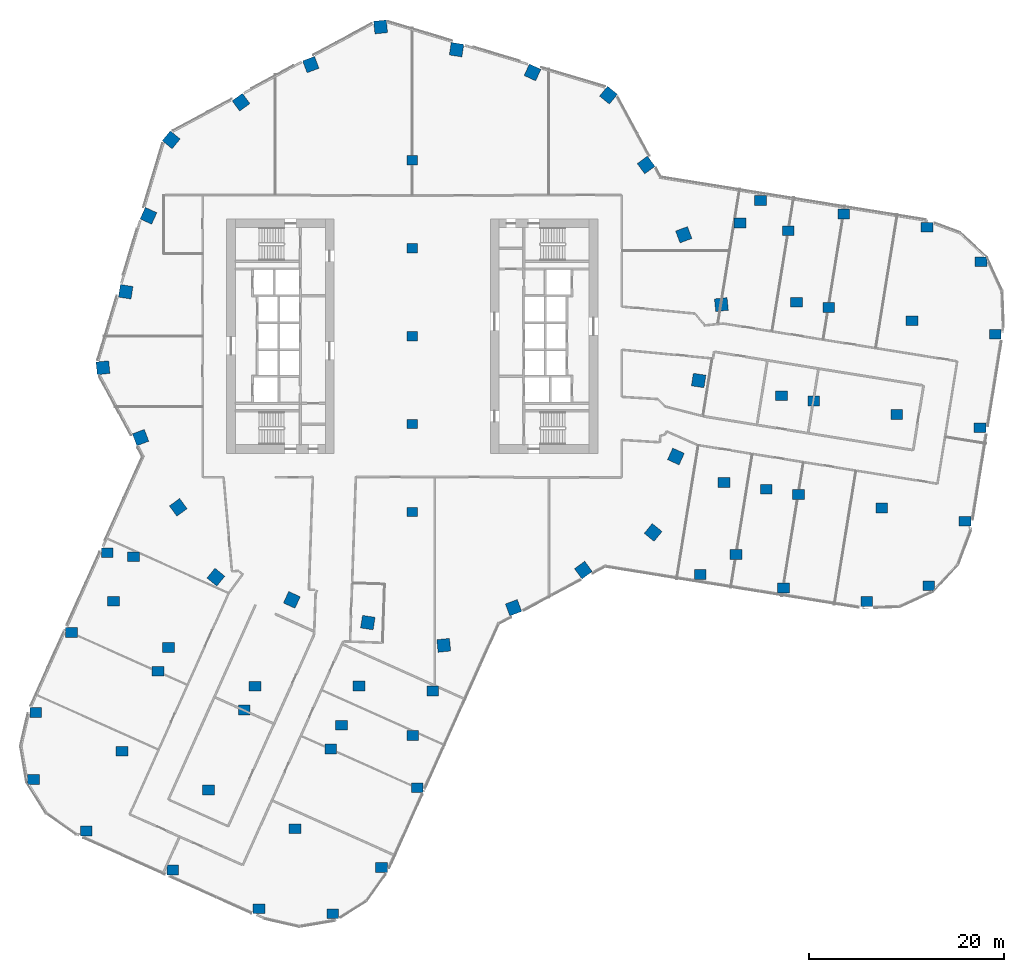
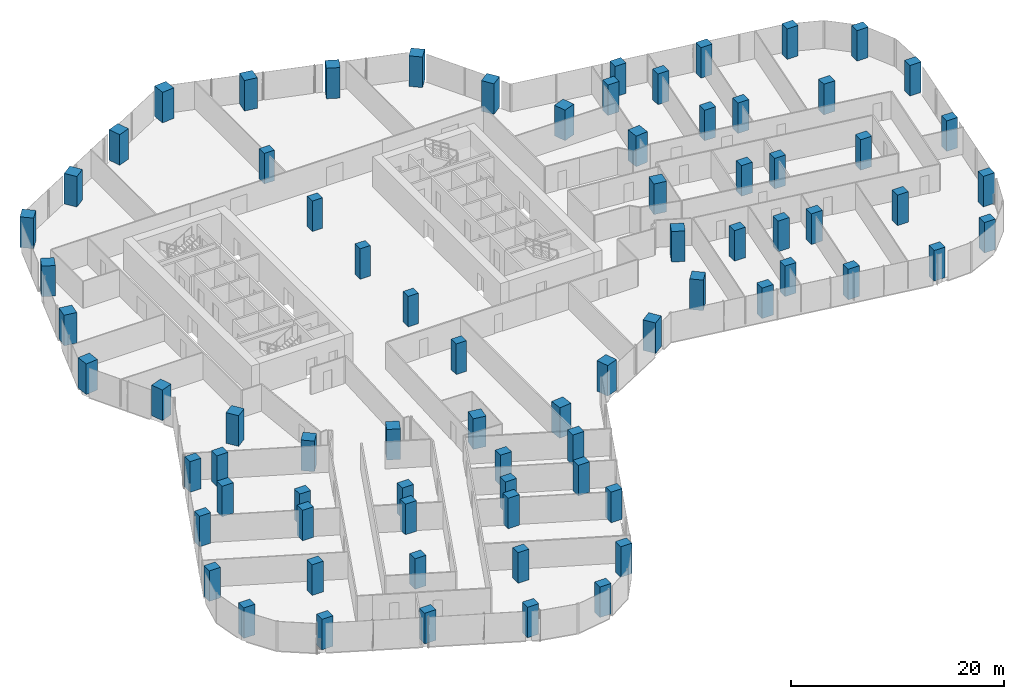
# One storey, part 1 of 34: 77 columns.
"""IFC4 building model written with IfcOpenShell, lengths in metres."""

import ifcopenshell
import ifcopenshell.guid

model = None  # the IFC model being written
_history = None  # IfcOwnerHistory: only IFC2X3 demands one
_inside = {}  # id of a spatial element -> (the spatial element, [elements in it])
_under = {}  # id of a project, library or spatial element -> (it, [spatial elements below it])
_declared = {}  # id of a project -> (the project, [libraries it declares])
_typed = {}  # id of a type object -> (the type object, [elements of that type])
_made_of = {}  # id of a material, layer set ... -> (it, [elements and type objects made of it])


def new_model(schema):
    """Start an empty IFC model of exactly this schema.

    Asked for "IFC4X3", IfcOpenShell would pick the latest addendum, in which some entities
    have other attributes; the version numbers below select the first issue.
    IFC2X3 requires an IfcOwnerHistory on every rooted entity: one is made here for all.
    """
    global model, _history
    if schema == "IFC4X3":
        model = ifcopenshell.file(schema_version=(4, 3, 0, 0))
    else:
        model = ifcopenshell.file(schema=schema)
    _inside.clear()
    _under.clear()
    _declared.clear()
    _typed.clear()
    _made_of.clear()
    _history = None
    if model.schema == "IFC2X3":
        org = make("IfcOrganization", Name="unknown")
        user = make(
            "IfcPersonAndOrganization",
            ThePerson=make("IfcPerson", FamilyName="unknown"),
            TheOrganization=org,
        )
        app = make(
            "IfcApplication",
            ApplicationDeveloper=org,
            Version="unknown",
            ApplicationFullName="unknown",
            ApplicationIdentifier="unknown",
        )
        _history = make(
            "IfcOwnerHistory",
            OwningUser=user,
            OwningApplication=app,
            ChangeAction="ADDED",
            CreationDate=0,
        )
    return model


def make(cls, **values):
    """One entity of the class cls with the attributes given. An attribute that is None is left unset."""
    return model.create_entity(
        cls, **{name: value for name, value in values.items() if value is not None}
    )


def rooted(cls, **values):
    """An entity with a GlobalId (a new one), such as an element, a storey or a relation."""
    return make(cls, GlobalId=ifcopenshell.guid.new(), OwnerHistory=_history, **values)


def si_unit(unit_type, name, prefix=None):
    """IfcSIUnit, for example si_unit("LENGTHUNIT", "METRE", prefix="MILLI")."""
    return make("IfcSIUnit", UnitType=unit_type, Prefix=prefix, Name=name)


def assignment(units):
    """IfcUnitAssignment: the units of a project."""
    return None if units is None else make("IfcUnitAssignment", Units=units)


def point(xyz):
    """IfcCartesianPoint."""
    return None if xyz is None else make("IfcCartesianPoint", Coordinates=xyz)


def direction(xyz):
    """IfcDirection."""
    return None if xyz is None else make("IfcDirection", DirectionRatios=xyz)


def frame(location, z_axis=None, x_axis=None):
    """IfcAxis2Placement3D, a coordinate frame: its origin and axes. An axis left out is left unset."""
    return make(
        "IfcAxis2Placement3D",
        Location=point(location),
        Axis=direction(z_axis),
        RefDirection=direction(x_axis),
    )


def frame_2d(location, x_axis=None):
    """IfcAxis2Placement2D, a coordinate frame in the plane: its origin and x axis."""
    return make(
        "IfcAxis2Placement2D", Location=point(location), RefDirection=direction(x_axis)
    )


def origin():
    """The frame at (0, 0, 0) with its axes left unset."""
    return frame((0.0, 0.0, 0.0))


def origin_2d():
    """The frame at (0, 0) in the plane with its x axis left unset."""
    return frame_2d((0.0, 0.0))


def place(relative_to, where):
    """IfcLocalPlacement: puts the frame where relative to a parent placement (None: the world)."""
    return make(
        "IfcLocalPlacement", PlacementRelTo=relative_to, RelativePlacement=where
    )


def context(
    kind, dimensions, precision=None, world=None, true_north=None, identifier=None
):
    """IfcGeometricRepresentationContext, for example the 3D "Model" context."""
    return make(
        "IfcGeometricRepresentationContext",
        ContextIdentifier=identifier,
        ContextType=kind,
        CoordinateSpaceDimension=dimensions,
        Precision=precision,
        WorldCoordinateSystem=world,
        TrueNorth=true_north,
    )


def subcontext(parent, identifier, kind, view, scale=None):
    """IfcGeometricRepresentationSubContext, for example "Body" below "Model"."""
    return make(
        "IfcGeometricRepresentationSubContext",
        ContextIdentifier=identifier,
        ContextType=kind,
        ParentContext=parent,
        TargetScale=scale,
        TargetView=view,
    )


def project(units=None, contexts=None):
    """IfcProject with its units and contexts."""
    return rooted(
        "IfcProject",
        Name="project",
        RepresentationContexts=contexts,
        UnitsInContext=assignment(units),
    )


def spatial(cls, under=None, at=None, **own):
    """A site, building, storey or space (cls), placed at a placement, below another one or the project."""
    s = rooted(cls, ObjectPlacement=at, **own)
    if under is not None:
        _under.setdefault(under.id(), (under, []))[1].append(s)
    return s


def profile(cls, at=None, kind="AREA", **sizes):
    """A parametric profile (cls). Its sizes go by their IFC names, for example OverallWidth=200.0."""
    return make(cls, ProfileType=kind, Position=at, **sizes)


def rectangle(**sizes):
    """IfcRectangleProfileDef."""
    return profile("IfcRectangleProfileDef", **sizes)


def extrude(swept, where, along, depth):
    """IfcExtrudedAreaSolid: the profile swept, set in the frame where, extruded along a direction by depth."""
    return make(
        "IfcExtrudedAreaSolid",
        SweptArea=swept,
        Position=where,
        ExtrudedDirection=direction(along),
        Depth=depth,
    )


def shape(context_of_items, identifier, shape_type, items):
    """IfcShapeRepresentation: the items that make up one representation, for example the "Body"."""
    return make(
        "IfcShapeRepresentation",
        ContextOfItems=context_of_items,
        RepresentationIdentifier=identifier,
        RepresentationType=shape_type,
        Items=items,
    )


def material(Name=None, Category=None):
    """IfcMaterial."""
    return make("IfcMaterial", Name=Name, Category=Category)


def material_profile(
    of_material, cross_section, Name=None, Category=None, Priority=None
):
    """IfcMaterialProfile: a cross section and its material."""
    return make(
        "IfcMaterialProfile",
        Name=Name,
        Material=of_material,
        Profile=cross_section,
        Priority=Priority,
        Category=Category,
    )


def profile_set(profiles, Name=None, composite=None):
    """IfcMaterialProfileSet."""
    return make(
        "IfcMaterialProfileSet",
        Name=Name,
        MaterialProfiles=profiles,
        CompositeProfile=composite,
    )


def made_of(thing, what):
    """Note that an element or type object is made of a material, layer set ...; save() writes the relation."""
    if what is not None:
        _made_of.setdefault(what.id(), (what, []))[1].append(thing)
    return thing


def type_object(cls, material=None, **own):
    """A type object (cls), such as IfcWallType, which elements share."""
    return made_of(rooted(cls, **own), material)


def element(
    cls,
    number,
    at=None,
    inside=None,
    cuts=None,
    type_object=None,
    material=None,
    context=None,
    identifier="Body",
    shape_type=None,
    held_by="IfcProductDefinitionShape",
    body=None,
    shapes=None,
    **own,
):
    """One element of the class cls, such as IfcWall. Its Tag is "e" and its number.

    at: its placement. inside: the storey or other place that contains it. cuts: it is an
    opening in that element (IfcRelVoidsElement). A single representation is given by context,
    identifier, shape_type and body (its items); several are given by shapes. held_by: the class
    of the entity that holds the representations. save() writes the other relations.
    """
    e = rooted(cls, Tag="e%d" % number, ObjectPlacement=at, **own)
    if body is not None:
        shapes = [shape(context, identifier, shape_type, body)]
    if shapes is not None:
        e.Representation = make(held_by, Representations=shapes)
    if inside is not None:
        _inside.setdefault(inside.id(), (inside, []))[1].append(e)
    if cuts is not None:
        rooted(
            "IfcRelVoidsElement", RelatingBuildingElement=cuts, RelatedOpeningElement=e
        )
    if type_object is not None:
        _typed.setdefault(type_object.id(), (type_object, []))[1].append(e)
    return made_of(e, material)


def aggregate(whole, parts):
    """IfcRelAggregates: a whole, such as a stair, and the parts it consists of."""
    return rooted("IfcRelAggregates", RelatingObject=whole, RelatedObjects=parts)


def save(model, path):
    """Write the relations noted so far, then the file.

    IfcRelAggregates (storeys below a building ...), IfcRelContainedInSpatialStructure (elements
    in a storey), IfcRelDefinesByType, IfcRelAssociatesMaterial and IfcRelDeclares: one each for
    every whole, place, type object, material and project.
    """
    for whole, parts in _under.values():
        aggregate(whole, parts)
    for where, things in _inside.values():
        rooted(
            "IfcRelContainedInSpatialStructure",
            RelatedElements=things,
            RelatingStructure=where,
        )
    for kind, things in _typed.values():
        rooted("IfcRelDefinesByType", RelatedObjects=things, RelatingType=kind)
    for what, things in _made_of.values():
        rooted("IfcRelAssociatesMaterial", RelatedObjects=things, RelatingMaterial=what)
    for by, libraries in _declared.values():
        rooted("IfcRelDeclares", RelatingContext=by, RelatedDefinitions=libraries)
    model.write(path)


model = new_model("IFC4")

# Units and contexts
model_context = context("Model", 3, precision=1e-05, world=origin(), true_north=direction((0.0, 1.0)))
body_context = subcontext(model_context, "Body", "Model", "MODEL_VIEW")
ifc_project = project(units=[si_unit("LENGTHUNIT", "METRE"), si_unit("AREAUNIT", "SQUARE_METRE"), si_unit("VOLUMEUNIT", "CUBIC_METRE"), si_unit("PLANEANGLEUNIT", "RADIAN"), si_unit("MASSUNIT", "GRAM", prefix="KILO")], contexts=[model_context])

# Site, building, storey
site_placement = place(None, origin())
site = spatial("IfcSite", under=ifc_project, at=site_placement, CompositionType="ELEMENT")
building_placement = place(site_placement, origin())
building = spatial("IfcBuilding", under=site, at=building_placement, Name="Orlundy Tower", CompositionType="ELEMENT")
storey_placement = place(building_placement, frame((0.0, 0.0, 130.699951171875)))
storey = spatial("IfcBuildingStorey", under=building, at=storey_placement, Name="L33", CompositionType="ELEMENT", Elevation=130.699951171875)

# Columns
ifc_material_1 = material(Name="Concrete C80/95", Category="concrete")
ifc_material_profile_1 = material_profile(ifc_material_1, rectangle(XDim=1.10009765625, YDim=0.949951171875, at=origin_2d()), Name="RC1100X950")
ifc_profile_set_1 = profile_set([ifc_material_profile_1], Name="Concrete C80/95")
column_type_1 = type_object("IfcColumnType", Name="RC COLUMN RC1100X950 C80/95", PredefinedType="COLUMN", material=ifc_profile_set_1)
for number, where, z_axis, x_axis, name in (
    (1, (0.0, -18.0, 0.0), (0.0, 0.0, 1.0), (1.0, 0.0, 0.0), "Column C-M1 L33"),
    (2, (0.0, -9.0, 0.0), (0.0, 0.0, 1.0), (1.0, 0.0, 0.0), "Column C-M2 L33"),
    (3, (0.0, 0.0, 0.0), (0.0, 0.0, 1.0), (1.0, 0.0, 0.0), "Column C-M3 L33"),
    (4, (0.0, 9.0, 0.0), (0.0, 0.0, 1.0), (1.0, 0.0, 0.0), "Column C-M4 L33"),
    (5, (0.0, 18.0, 0.0), (0.0, 0.0, 1.0), (1.0, 0.0, 0.0), "Column C-M5 L33"),
):
    element("IfcColumn", number, at=place(storey_placement, frame(where, z_axis=z_axis, x_axis=x_axis)), inside=storey, type_object=column_type_1, Name=name, PredefinedType="COLUMN", context=body_context, shape_type="SweptSolid", body=[
        extrude(rectangle(XDim=1.10009765625, YDim=0.949951171875, at=origin_2d()), origin(), (0.0, 0.0, 1.0), 3.5),
    ])
ifc_material_2 = material(Name="Concrete C80/95", Category="concrete")
ifc_material_profile_2 = material_profile(ifc_material_2, rectangle(XDim=1.199951171875, YDim=1.0, at=origin_2d()), Name="RC1200X1000")
ifc_profile_set_2 = profile_set([ifc_material_profile_2], Name="Concrete C80/95")
column_type_2 = type_object("IfcColumnType", Name="RC COLUMN RC1200X1000 C80/95", PredefinedType="COLUMN", material=ifc_profile_set_2)
for number, where, z_axis, x_axis, name in (
    (6, (29.488037109375, -24.408935546875, 0.0), (0.0, 0.0, 1.0), (1.0, 0.0, 0.0), "Column C-A1-1 L33"),
    (7, (38.010986328125, -25.784912109375, 0.0), (0.0, 0.0, 1.0), (1.0, 0.0, 0.0), "Column C-A1-2 L33"),
    (8, (46.534912109375, -27.156005859375, 0.0), (0.0, 0.0, 1.0), (1.0, 0.0, 0.0), "Column C-A1-3 L33"),
    (9, (52.89892578125, -25.547119140625, 0.0), (0.0, 0.0, 1.0), (1.0, 0.0, 0.0), "Column C-A1-5 L33"),
    (10, (33.154052734375, -22.361083984375, 0.0), (0.0, 0.0, 1.0), (1.0, 0.0, 0.0), "Column C-A1-6 L33"),
    (11, (39.555908203125, -16.208984375, 0.0), (0.0, 0.0, 1.0), (1.0, 0.0, 0.0), "Column C-A2-2 L33"),
    (12, (48.0791015625, -17.583984375, 0.0), (0.0, 0.0, 1.0), (1.0, 0.0, 0.0), "Column C-A2-3 L33"),
    (13, (56.60302734375, -18.958984375, 0.0), (0.0, 0.0, 1.0), (1.0, 0.0, 0.0), "Column C-A2-5 L33"),
    (14, (36.26611328125, -15.677978515625, 0.0), (0.0, 0.0, 1.0), (1.0, 0.0, 0.0), "Column C-A2-6 L33"),
    (15, (31.922119140625, -14.97705078125, 0.0), (0.0, 0.0, 1.0), (1.0, 0.0, 0.0), "Column C-A2-7 L33"),
    (16, (41.10205078125, -6.632080078125, 0.0), (0.0, 0.0, 1.0), (1.0, 0.0, 0.0), "Column C-A3-2 L33"),
    (17, (49.625, -8.008056640625, 0.0), (0.0, 0.0, 1.0), (1.0, 0.0, 0.0), "Column C-A3-3 L33"),
    (18, (58.14794921875, -9.383056640625, 0.0), (0.0, 0.0, 1.0), (1.0, 0.0, 0.0), "Column C-A3-5 L33"),
    (19, (37.81103515625, -6.10107421875, 0.0), (0.0, 0.0, 1.0), (1.0, 0.0, 0.0), "Column C-A3-6 L33"),
    (20, (42.64697265625, 2.944091796875, 0.0), (0.0, 0.0, 1.0), (1.0, 0.0, 0.0), "Column C-A4-2 L33"),
    (21, (51.169921875, 1.568115234375, 0.0), (0.0, 0.0, 1.0), (1.0, 0.0, 0.0), "Column C-A4-3 L33"),
    (22, (59.693115234375, 0.193115234375, 0.0), (0.0, 0.0, 1.0), (1.0, 0.0, 0.0), "Column C-A4-5 L33"),
    (23, (39.35595703125, 3.47509765625, 0.0), (0.0, 0.0, 1.0), (1.0, 0.0, 0.0), "Column C-A4-6 L33"),
    (24, (35.6689453125, 13.89501953125, 0.0), (0.0, 0.0, 1.0), (1.0, 0.0, 0.0), "Column C-A5-1 L33"),
    (25, (44.19189453125, 12.52001953125, 0.0), (0.0, 0.0, 1.0), (1.0, 0.0, 0.0), "Column C-A5-2 L33"),
    (26, (52.715087890625, 11.139892578125, 0.0), (0.0, 0.0, 1.0), (1.0, 0.0, 0.0), "Column C-A5-3 L33"),
    (27, (58.25, 7.611083984375, 0.0), (0.0, 0.0, 1.0), (1.0, 0.0, 0.0), "Column C-A5-5 L33"),
    (28, (38.5048828125, 10.797119140625, 0.0), (0.0, 0.0, 1.0), (1.0, 0.0, 0.0), "Column C-A5-6 L33"),
    (29, (33.569091796875, 11.593994140625, 0.0), (0.0, 0.0, 1.0), (1.0, 0.0, 0.0), "Column C-A5-7 L33"),
    (30, (-31.2099609375, -22.166015625, 0.0), (0.0, 0.0, 1.0), (1.0, 0.0, 0.0), "Column C-B1-1 L33"),
    (31, (-34.881103515625, -30.345947265625, 0.0), (0.0, 0.0, 1.0), (1.0, 0.0, 0.0), "Column C-B1-2 L33"),
    (32, (-38.551025390625, -38.527099609375, 0.0), (0.0, 0.0, 1.0), (1.0, 0.0, 0.0), "Column C-B1-3 L33"),
    (33, (-38.777099609375, -45.39697265625, 0.0), (0.0, 0.0, 1.0), (1.0, 0.0, 0.0), "Column C-B1-5 L33"),
    (34, (-30.589111328125, -27.14990234375, 0.0), (0.0, 0.0, 1.0), (1.0, 0.0, 0.0), "Column C-B1-6 L33"),
    (35, (-28.5419921875, -22.587890625, 0.0), (0.0, 0.0, 1.0), (1.0, 0.0, 0.0), "Column C-B1-7 L33"),
    (36, (-26.031005859375, -34.318115234375, 0.0), (0.0, 0.0, 1.0), (1.0, 0.0, 0.0), "Column C-B2-2 L33"),
    (37, (-29.701904296875, -42.498046875, 0.0), (0.0, 0.0, 1.0), (1.0, 0.0, 0.0), "Column C-B2-3 L33"),
    (38, (-33.3720703125, -50.678955078125, 0.0), (0.0, 0.0, 1.0), (1.0, 0.0, 0.0), "Column C-B2-5 L33"),
    (39, (-24.93896484375, -31.885009765625, 0.0), (0.0, 0.0, 1.0), (1.0, 0.0, 0.0), "Column C-B2-6 L33"),
    (40, (-17.180908203125, -38.2890625, 0.0), (0.0, 0.0, 1.0), (1.0, 0.0, 0.0), "Column C-B3-2 L33"),
    (41, (-20.85205078125, -46.468994140625, 0.0), (0.0, 0.0, 1.0), (1.0, 0.0, 0.0), "Column C-B3-3 L33"),
    (42, (-24.52294921875, -54.64990234375, 0.0), (0.0, 0.0, 1.0), (1.0, 0.0, 0.0), "Column C-B3-5 L33"),
    (43, (-16.089111328125, -35.85595703125, 0.0), (0.0, 0.0, 1.0), (1.0, 0.0, 0.0), "Column C-B3-6 L33"),
    (44, (-8.3310546875, -42.260009765625, 0.0), (0.0, 0.0, 1.0), (1.0, 0.0, 0.0), "Column C-B4-2 L33"),
    (45, (-12.001953125, -50.44091796875, 0.0), (0.0, 0.0, 1.0), (1.0, 0.0, 0.0), "Column C-B4-3 L33"),
    (46, (-15.673095703125, -58.62109375, 0.0), (0.0, 0.0, 1.0), (1.0, 0.0, 0.0), "Column C-B4-5 L33"),
    (47, (-7.239013671875, -39.826904296875, 0.0), (0.0, 0.0, 1.0), (1.0, 0.0, 0.0), "Column C-B4-6 L33"),
    (48, (-5.43798828125, -35.81201171875, 0.0), (0.0, 0.0, 1.0), (1.0, 0.0, 0.0), "Column C-B4-7 L33"),
    (49, (0.51904296875, -46.23095703125, 0.0), (0.0, 0.0, 1.0), (1.0, 0.0, 0.0), "Column C-B5-2 L33"),
    (50, (-3.152099609375, -54.412109375, 0.0), (0.0, 0.0, 1.0), (1.0, 0.0, 0.0), "Column C-B5-3 L33"),
    (51, (-8.134033203125, -59.14697265625, 0.0), (0.0, 0.0, 1.0), (1.0, 0.0, 0.0), "Column C-B5-5 L33"),
    (52, (0.053955078125, -40.89990234375, 0.0), (0.0, 0.0, 1.0), (1.0, 0.0, 0.0), "Column C-B5-6 L33"),
    (53, (2.10107421875, -36.337890625, 0.0), (0.0, 0.0, 1.0), (1.0, 0.0, 0.0), "Column C-B5-7 L33"),
):
    element("IfcColumn", number, at=place(storey_placement, frame(where, z_axis=z_axis, x_axis=x_axis)), inside=storey, type_object=column_type_2, Name=name, PredefinedType="COLUMN", context=body_context, shape_type="SweptSolid", body=[
        extrude(rectangle(XDim=1.199951171875, YDim=1.0, at=origin_2d()), origin(), (0.0, 0.0, 1.0), 3.5),
    ])
ifc_material_3 = material(Name="Concrete C80/95", Category="concrete")
ifc_material_profile_3 = material_profile(ifc_material_3, rectangle(XDim=1.300048828125, YDim=1.300048828125, at=origin_2d()), Name="RC1300X1300")
ifc_profile_set_3 = profile_set([ifc_material_profile_3], Name="Concrete C80/95")
column_type_3 = type_object("IfcColumnType", Name="RC COLUMN RC1300X1300 C80/95", PredefinedType="COLUMN", material=ifc_profile_set_3)
for number, where, z_axis, x_axis, name in (
    (54, (20.097900390625, 24.672119140625, 0.0), (0.0, 0.0, 1.0), (0.631582861875, 0.775308382894, 0.0), "Column C-H01 L33"),
    (55, (23.950927734375, 17.52587890625, 0.0), (0.0, 0.0, 1.0), (0.807011849138, 0.590535244799, 0.0), "Column C-H02 L33"),
    (56, (27.803955078125, 10.3798828125, 0.0), (0.0, 0.0, 1.0), (0.936843221006, 0.349749595075, 0.0), "Column C-H03 L33"),
    (57, (31.657958984375, 3.23388671875, 0.0), (0.0, 0.0, 1.0), (0.994822339568, 0.101629290543, 0.0), "Column C-H04 L33"),
    (58, (29.3291015625, -4.54296875, 0.0), (0.0, 0.0, 1.0), (0.988215027151, -0.153072074896, 0.0), "Column C-H05 L33"),
    (59, (27.0009765625, -12.321044921875, 0.0), (0.0, 0.0, 1.0), (0.909758504877, -0.415137884087, 0.0), "Column C-H06 L33"),
    (60, (24.672119140625, -20.097900390625, 0.0), (0.0, 0.0, 1.0), (0.775308382894, -0.631582861875, 0.0), "Column C-H07 L33"),
    (61, (17.52587890625, -23.950927734375, 0.0), (0.0, 0.0, 1.0), (0.590535244799, -0.807011849138, 0.0), "Column C-H08 L33"),
    (62, (10.3798828125, -27.803955078125, 0.0), (0.0, 0.0, 1.0), (0.349749595075, -0.936843221006, 0.0), "Column C-H09 L33"),
    (63, (3.23388671875, -31.657958984375, 0.0), (0.0, 0.0, 1.0), (0.101629290543, -0.994822339568, 0.0), "Column C-H10 L33"),
    (64, (-4.54296875, -29.3291015625, 0.0), (0.0, 0.0, 1.0), (-0.153072074896, -0.988215027151, 0.0), "Column C-H11 L33"),
    (65, (-12.321044921875, -27.0009765625, 0.0), (0.0, 0.0, 1.0), (-0.415137884087, -0.909758504877, 0.0), "Column C-H12 L33"),
    (66, (-20.097900390625, -24.672119140625, 0.0), (0.0, 0.0, 1.0), (-0.631582861875, -0.775308382894, 0.0), "Column C-H13 L33"),
    (67, (-23.950927734375, -17.52587890625, 0.0), (0.0, 0.0, 1.0), (-0.807011849138, -0.590535244799, 0.0), "Column C-H14 L33"),
    (68, (-27.803955078125, -10.3798828125, 0.0), (0.0, 0.0, 1.0), (-0.936843221006, -0.349749595075, 0.0), "Column C-H15 L33"),
    (69, (-31.657958984375, -3.23388671875, 0.0), (0.0, 0.0, 1.0), (-0.994822339568, -0.101629290543, 0.0), "Column C-H16 L33"),
    (70, (-29.3291015625, 4.54296875, 0.0), (0.0, 0.0, 1.0), (-0.988215027151, 0.153072074896, 0.0), "Column C-H17 L33"),
    (71, (-27.0009765625, 12.321044921875, 0.0), (0.0, 0.0, 1.0), (-0.909758504877, 0.415137884087, 0.0), "Column C-H18 L33"),
    (72, (-24.672119140625, 20.097900390625, 0.0), (0.0, 0.0, 1.0), (-0.775308382894, 0.631582861875, 0.0), "Column C-H19 L33"),
    (73, (-17.52587890625, 23.950927734375, 0.0), (0.0, 0.0, 1.0), (-0.590535244799, 0.807011849138, 0.0), "Column C-H20 L33"),
    (74, (-10.3798828125, 27.803955078125, 0.0), (0.0, 0.0, 1.0), (-0.349749595075, 0.936843221006, 0.0), "Column C-H21 L33"),
    (75, (-3.23388671875, 31.657958984375, 0.0), (0.0, 0.0, 1.0), (-0.101629290543, 0.994822339568, 0.0), "Column C-H22 L33"),
    (76, (4.54296875, 29.3291015625, 0.0), (0.0, 0.0, 1.0), (0.153072074896, 0.988215027151, 0.0), "Column C-H23 L33"),
    (77, (12.321044921875, 27.0009765625, 0.0), (0.0, 0.0, 1.0), (0.415137884087, 0.909758504877, 0.0), "Column C-H24 L33"),
):
    element("IfcColumn", number, at=place(storey_placement, frame(where, z_axis=z_axis, x_axis=x_axis)), inside=storey, type_object=column_type_3, Name=name, PredefinedType="COLUMN", context=body_context, shape_type="SweptSolid", body=[
        extrude(rectangle(XDim=1.300048828125, YDim=1.300048828125, at=origin_2d()), origin(), (0.0, 0.0, 1.0), 3.5),
    ])

save(model, "model.ifc")
